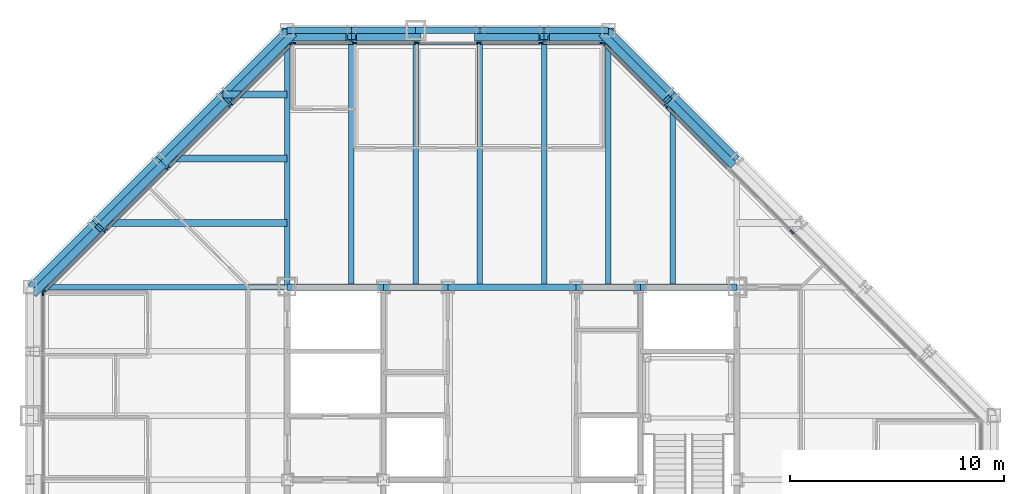
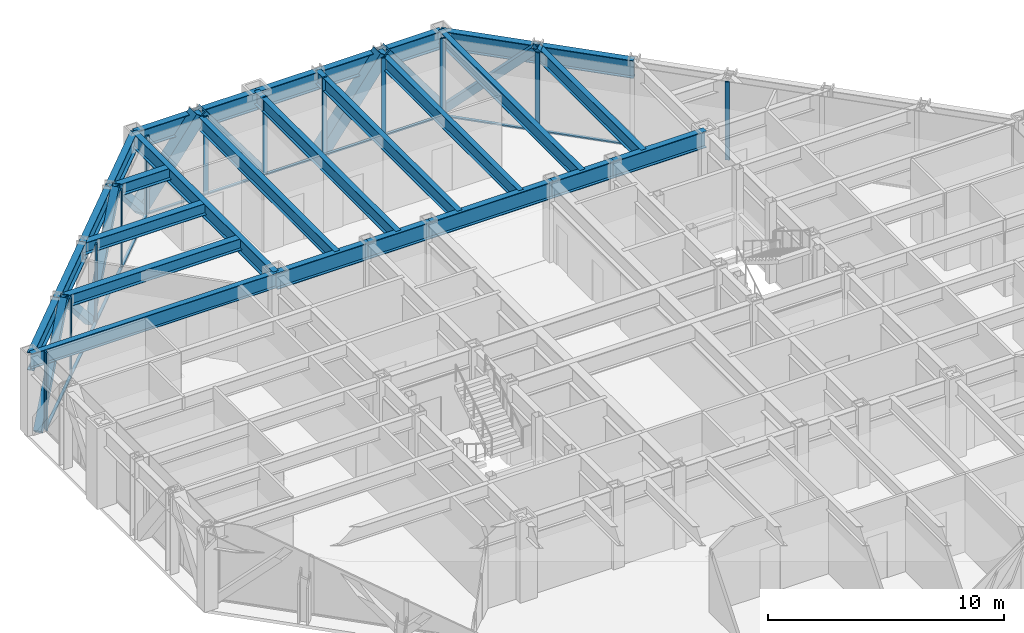
# One storey, part 8 of 16: 36 members, 27 beams, 4 elements without a shape of their own.
"""IFC4 building model written with IfcOpenShell, lengths in metres."""

from ifc_helpers import new_model, si_unit, direction, frame, origin, origin_2d, place, context, subcontext, project, spatial, rectangle, hollow_rectangle, i_section, extrude, material, layer, layer_set, material_profile, profile_set, type_object, element, aggregate, save


model = new_model("IFC4")

# Units and contexts
model_context = context("Model", 3, precision=1e-05, world=origin(), true_north=direction((0.0, 1.0)))
body_context = subcontext(model_context, "Body", "Model", "MODEL_VIEW")
ifc_project = project(units=[si_unit("LENGTHUNIT", "METRE"), si_unit("AREAUNIT", "SQUARE_METRE"), si_unit("VOLUMEUNIT", "CUBIC_METRE"), si_unit("PLANEANGLEUNIT", "RADIAN"), si_unit("MASSUNIT", "GRAM", prefix="KILO")], contexts=[model_context])

# Site, building, storey
site_placement = place(None, origin())
site = spatial("IfcSite", under=ifc_project, at=site_placement, CompositionType="ELEMENT")
building_placement = place(site_placement, origin())
building = spatial("IfcBuilding", under=site, at=building_placement, Name="Chuquiago Exchange Tower", CompositionType="ELEMENT")
storey_placement = place(building_placement, frame((0.0, 0.0, 226.5)))
storey = spatial("IfcBuildingStorey", under=building, at=storey_placement, Name="L50", CompositionType="ELEMENT", Elevation=226.5)

# Beams
ifc_material_1 = material(Name="Steel ASTM A992", Category="steel")
ifc_material_profile_1 = material_profile(ifc_material_1, i_section(OverallWidth=0.25390625, OverallDepth=0.683349609375, WebThickness=0.012451171875, FlangeThickness=0.018798828125, at=origin_2d()), Name="W27X94")
ifc_profile_set_1 = profile_set([ifc_material_profile_1], Name="Steel ASTM A992")
beam_type_1 = type_object("IfcBeamType", Name="B1 W27X94", PredefinedType="BEAM", material=ifc_profile_set_1)
for number, where, z_axis, x_axis, name in (
    (1, (15.0, 33.0, 3.698486328125), (0.0, 1.0, 0.0), (-1.0, 0.0, 0.0), "FB-L51-infill-15_33-15_45-0"),
    (2, (18.0, 33.0, 3.698486328125), (0.0, 1.0, 0.0), (-1.0, 0.0, 0.0), "FB-L51-infill-18_33-18_45-0"),
    (3, (21.0, 33.0, 3.698486328125), (0.0, 1.0, 0.0), (-1.0, 0.0, 0.0), "FB-L51-infill-21_33-21_45-0"),
    (4, (24.0, 33.0, 3.698486328125), (0.0, 1.0, 0.0), (-1.0, 0.0, 0.0), "FB-L51-infill-24_33-24_45-0"),
    (5, (27.0, 33.0, 3.698486328125), (0.0, 1.0, 0.0), (-1.0, 0.0, 0.0), "FB-L51-infill-27_33-27_45-0"),
):
    element("IfcBeam", number, at=place(storey_placement, frame(where, z_axis=z_axis, x_axis=x_axis)), inside=storey, type_object=beam_type_1, Name=name, PredefinedType="BEAM", context=body_context, shape_type="SweptSolid", body=[
        extrude(i_section(OverallWidth=0.25390625, OverallDepth=0.683349609375, WebThickness=0.012451171875, FlangeThickness=0.018798828125, at=origin_2d()), origin(), (0.0, 0.0, 1.0), 12.0),
    ])
beam_1_placement = place(storey_placement, frame((30.0, 33.0, 3.698486328125), z_axis=(0.0, 1.0, 0.0), x_axis=(-1.0, 0.0, 0.0)))
element("IfcBeam", 6, at=beam_1_placement, inside=storey, type_object=beam_type_1, Name="FB-L51-infill-30_33-30_42-0", PredefinedType="BEAM", context=body_context, shape_type="SweptSolid", body=[
    extrude(i_section(OverallWidth=0.25390625, OverallDepth=0.683349609375, WebThickness=0.012451171875, FlangeThickness=0.018798828125, at=origin_2d()), origin(), (0.0, 0.0, 1.0), 9.0),
])
ifc_material_2 = material(Name="Steel ASTM A992", Category="steel")
ifc_material_profile_2 = material_profile(ifc_material_2, i_section(OverallWidth=0.3251953125, OverallDepth=0.612060546875, WebThickness=0.0126953125, FlangeThickness=0.01904296875, at=origin_2d()), Name="W24X104")
ifc_profile_set_2 = profile_set([ifc_material_profile_2], Name="Steel ASTM A992")
beam_type_2 = type_object("IfcBeamType", Name="B2 W24X104", PredefinedType="BEAM", material=ifc_profile_set_2)
beam_2_placement = place(storey_placement, frame((12.0, 36.0, 3.73388671875), z_axis=(-1.0, 0.0, 0.0), x_axis=(0.0, -1.0, 0.0)))
element("IfcBeam", 7, at=beam_2_placement, inside=storey, type_object=beam_type_2, Name="FB-L51-corner-12_36-3_36-0", PredefinedType="BEAM", context=body_context, shape_type="SweptSolid", body=[
    extrude(i_section(OverallWidth=0.3251953125, OverallDepth=0.612060546875, WebThickness=0.0126953125, FlangeThickness=0.01904296875, at=origin_2d()), origin(), (0.0, 0.0, 1.0), 9.0),
])
beam_3_placement = place(storey_placement, frame((12.0, 39.0, 3.73388671875), z_axis=(-1.0, 0.0, 0.0), x_axis=(0.0, -1.0, 0.0)))
element("IfcBeam", 8, at=beam_3_placement, inside=storey, type_object=beam_type_2, Name="FB-L51-corner-12_39-6_39-0", PredefinedType="BEAM", context=body_context, shape_type="SweptSolid", body=[
    extrude(i_section(OverallWidth=0.3251953125, OverallDepth=0.612060546875, WebThickness=0.0126953125, FlangeThickness=0.01904296875, at=origin_2d()), origin(), (0.0, 0.0, 1.0), 6.0),
])
beam_4_placement = place(storey_placement, frame((12.0, 42.0, 3.73388671875), z_axis=(-1.0, 0.0, 0.0), x_axis=(0.0, -1.0, 0.0)))
element("IfcBeam", 9, at=beam_4_placement, inside=storey, type_object=beam_type_2, Name="FB-L51-corner-12_42-9_42-0", PredefinedType="BEAM", context=body_context, shape_type="SweptSolid", body=[
    extrude(i_section(OverallWidth=0.3251953125, OverallDepth=0.612060546875, WebThickness=0.0126953125, FlangeThickness=0.01904296875, at=origin_2d()), origin(), (0.0, 0.0, 1.0), 3.0),
])
ifc_material_3 = material(Name="Steel ASTM A992", Category="steel")
ifc_material_profile_3 = material_profile(ifc_material_3, i_section(OverallWidth=0.2919921875, OverallDepth=0.8583984375, WebThickness=0.01708984375, FlangeThickness=0.031005859375, at=origin_2d()), Name="W33X169")
ifc_profile_set_3 = profile_set([ifc_material_profile_3], Name="Steel ASTM A992")
beam_type_3 = type_object("IfcBeamType", Name="B3 W33X169", PredefinedType="BEAM", material=ifc_profile_set_3)
beam_5_placement = place(storey_placement, frame((12.0, 33.0, 3.610595703125), z_axis=(1.0, 0.0, 0.0), x_axis=(0.0, 1.0, 0.0)))
element("IfcBeam", 10, at=beam_5_placement, inside=storey, type_object=beam_type_3, Name="CB-L51-12_33-16.5_33", PredefinedType="BEAM", context=body_context, shape_type="SweptSolid", body=[
    extrude(i_section(OverallWidth=0.2919921875, OverallDepth=0.8583984375, WebThickness=0.01708984375, FlangeThickness=0.031005859375, at=origin_2d()), origin(), (0.0, 0.0, 1.0), 4.5),
])
beam_6_placement = place(storey_placement, frame((16.5, 33.0, 3.610595703125), z_axis=(1.0, 0.0, 0.0), x_axis=(0.0, 1.0, 0.0)))
element("IfcBeam", 11, at=beam_6_placement, inside=storey, type_object=beam_type_3, Name="CB-L51-16.5_33-19.5_33", PredefinedType="BEAM", context=body_context, shape_type="SweptSolid", body=[
    extrude(i_section(OverallWidth=0.2919921875, OverallDepth=0.8583984375, WebThickness=0.01708984375, FlangeThickness=0.031005859375, at=origin_2d()), origin(), (0.0, 0.0, 1.0), 3.0),
])
beam_7_placement = place(storey_placement, frame((19.5, 33.0, 3.610595703125), z_axis=(1.0, 0.0, 0.0), x_axis=(0.0, 1.0, 0.0)))
element("IfcBeam", 12, at=beam_7_placement, inside=storey, type_object=beam_type_3, Name="CB-L51-19.5_33-25.5_33", PredefinedType="BEAM", context=body_context, shape_type="SweptSolid", body=[
    extrude(i_section(OverallWidth=0.2919921875, OverallDepth=0.8583984375, WebThickness=0.01708984375, FlangeThickness=0.031005859375, at=origin_2d()), origin(), (0.0, 0.0, 1.0), 6.0),
])
beam_8_placement = place(storey_placement, frame((25.5, 33.0, 3.610595703125), z_axis=(1.0, 0.0, 0.0), x_axis=(0.0, 1.0, 0.0)))
element("IfcBeam", 13, at=beam_8_placement, inside=storey, type_object=beam_type_3, Name="CB-L51-25.5_33-28.5_33", PredefinedType="BEAM", context=body_context, shape_type="SweptSolid", body=[
    extrude(i_section(OverallWidth=0.2919921875, OverallDepth=0.8583984375, WebThickness=0.01708984375, FlangeThickness=0.031005859375, at=origin_2d()), origin(), (0.0, 0.0, 1.0), 3.0),
])
beam_9_placement = place(storey_placement, frame((28.5, 33.0, 3.610595703125), z_axis=(1.0, 0.0, 0.0), x_axis=(0.0, 1.0, 0.0)))
element("IfcBeam", 14, at=beam_9_placement, inside=storey, type_object=beam_type_3, Name="CB-L51-28.5_33-33_33", PredefinedType="BEAM", context=body_context, shape_type="SweptSolid", body=[
    extrude(i_section(OverallWidth=0.2919921875, OverallDepth=0.8583984375, WebThickness=0.01708984375, FlangeThickness=0.031005859375, at=origin_2d()), origin(), (0.0, 0.0, 1.0), 4.5),
])

# Curtain wall, members
ifc_material_4 = material(Name="Aluminium curtain wall system", Category="aluminium")
ifc_layer_1 = layer(ifc_material_4, 0.22509765625)
ifc_layer_set_1 = layer_set([ifc_layer_1], Name="CW2 office curtain wall")
curtain_wall_type_1 = type_object("IfcCurtainWallType", Name="CW2 office curtain wall", PredefinedType="NOTDEFINED", material=ifc_layer_set_1)
curtain_wall_1_placement = place(storey_placement, origin())
curtain_wall_1 = element("IfcCurtainWall", 15, at=curtain_wall_1_placement, inside=storey, type_object=curtain_wall_type_1, Name="CW2 curtain wall L50", PredefinedType="NOTDEFINED")
ifc_material_5 = material(Name="Aluminium mullion, pale anodised", Category="aluminium")
ifc_material_profile_4 = material_profile(ifc_material_5, rectangle(XDim=0.06494140625, YDim=0.22509765625, at=origin_2d()), Name="AL 65x225")
ifc_profile_set_4 = profile_set([ifc_material_profile_4], Name="Aluminium mullion, pale anodised")
member_type_1 = type_object("IfcMemberType", Name="CW2-M mullion 65x225", PredefinedType="MULLION", material=ifc_profile_set_4)
member_1_placement = place(storey_placement, frame((26.718994140625, 44.39990234375, 0.0), z_axis=(0.0, 0.0, 1.0), x_axis=(0.0, -1.0, 0.0)))
member_1 = element("IfcMember", 16, at=member_1_placement, type_object=member_type_1, Name="CW2 mullion 1", PredefinedType="MULLION", context=body_context, shape_type="SweptSolid", body=[
    extrude(rectangle(XDim=0.06494140625, YDim=0.22509765625, at=origin_2d()), origin(), (0.0, 0.0, 1.0), 4.0400390625),
])
member_2_placement = place(storey_placement, frame((23.850830078125, 44.39990234375, 0.0), z_axis=(0.0, 0.0, 1.0), x_axis=(0.0, -1.0, 0.0)))
member_2 = element("IfcMember", 17, at=member_2_placement, type_object=member_type_1, Name="CW2 mullion 2", PredefinedType="MULLION", context=body_context, shape_type="SweptSolid", body=[
    extrude(rectangle(XDim=0.06494140625, YDim=0.22509765625, at=origin_2d()), origin(), (0.0, 0.0, 1.0), 4.0400390625),
])
member_3_placement = place(storey_placement, frame((20.9501953125, 44.39990234375, 0.0), z_axis=(0.0, 0.0, 1.0), x_axis=(0.0, -1.0, 0.0)))
member_3 = element("IfcMember", 18, at=member_3_placement, type_object=member_type_1, Name="CW2 mullion 3", PredefinedType="MULLION", context=body_context, shape_type="SweptSolid", body=[
    extrude(rectangle(XDim=0.06494140625, YDim=0.22509765625, at=origin_2d()), origin(), (0.0, 0.0, 1.0), 4.0400390625),
])
member_4_placement = place(storey_placement, frame((18.0498046875, 44.39990234375, 0.0), z_axis=(0.0, 0.0, 1.0), x_axis=(0.0, -1.0, 0.0)))
member_4 = element("IfcMember", 19, at=member_4_placement, type_object=member_type_1, Name="CW2 mullion 4", PredefinedType="MULLION", context=body_context, shape_type="SweptSolid", body=[
    extrude(rectangle(XDim=0.06494140625, YDim=0.22509765625, at=origin_2d()), origin(), (0.0, 0.0, 1.0), 4.0400390625),
])
member_5_placement = place(storey_placement, frame((15.149169921875, 44.39990234375, 0.0), z_axis=(0.0, 0.0, 1.0), x_axis=(0.0, -1.0, 0.0)))
member_5 = element("IfcMember", 20, at=member_5_placement, type_object=member_type_1, Name="CW2 mullion 5", PredefinedType="MULLION", context=body_context, shape_type="SweptSolid", body=[
    extrude(rectangle(XDim=0.06494140625, YDim=0.22509765625, at=origin_2d()), origin(), (0.0, 0.0, 1.0), 4.0400390625),
])
member_6_placement = place(storey_placement, frame((12.281005859375, 44.39990234375, 0.0), z_axis=(0.0, 0.0, 1.0), x_axis=(0.0, -1.0, 0.0)))
member_6 = element("IfcMember", 21, at=member_6_placement, type_object=member_type_1, Name="CW2 mullion 6", PredefinedType="MULLION", context=body_context, shape_type="SweptSolid", body=[
    extrude(rectangle(XDim=0.06494140625, YDim=0.22509765625, at=origin_2d()), origin(), (0.0, 0.0, 1.0), 4.0400390625),
])

# Curtain wall, member
curtain_wall_2_placement = place(storey_placement, origin())
curtain_wall_2 = element("IfcCurtainWall", 22, at=curtain_wall_2_placement, inside=storey, type_object=curtain_wall_type_1, Name="CW2 curtain wall L50", PredefinedType="NOTDEFINED")
member_7_placement = place(storey_placement, frame((0.60009765625, 32.718994140625, 0.0), z_axis=(0.0, 0.0, 1.0), x_axis=(1.0, 0.0, 0.0)))
member_7 = element("IfcMember", 23, at=member_7_placement, type_object=member_type_1, Name="CW2 mullion 1", PredefinedType="MULLION", context=body_context, shape_type="SweptSolid", body=[
    extrude(rectangle(XDim=0.06494140625, YDim=0.22509765625, at=origin_2d()), origin(), (0.0, 0.0, 1.0), 4.0400390625),
])
aggregate(curtain_wall_2, [member_7])

# Member
ifc_material_6 = material(Name="Aluminium transom, pale anodised", Category="aluminium")
ifc_material_profile_5 = material_profile(ifc_material_6, rectangle(XDim=0.139892578125, YDim=0.06494140625, at=origin_2d()), Name="AL 140x65")
ifc_profile_set_5 = profile_set([ifc_material_profile_5], Name="Aluminium transom, pale anodised")
member_type_2 = type_object("IfcMemberType", Name="CW2-T transom 65x140", PredefinedType="MULLION", material=ifc_profile_set_5)
member_8_placement = place(storey_placement, frame((26.6865234375, 44.39990234375, 0.032470703125), z_axis=(-1.0, 0.0, 0.0), x_axis=(0.0, -1.0, 0.0)))
member_8 = element("IfcMember", 24, at=member_8_placement, type_object=member_type_2, Name="CW2 transom 1.1", PredefinedType="MULLION", context=body_context, shape_type="SweptSolid", body=[
    extrude(rectangle(XDim=0.139892578125, YDim=0.06494140625, at=origin_2d()), origin(), (0.0, 0.0, 1.0), 2.80322265625),
])

member_9_placement = place(storey_placement, frame((23.818359375, 44.39990234375, 0.032470703125), z_axis=(-1.0, 0.0, 0.0), x_axis=(0.0, -1.0, 0.0)))
member_9 = element("IfcMember", 25, at=member_9_placement, type_object=member_type_2, Name="CW2 transom 2.1", PredefinedType="MULLION", context=body_context, shape_type="SweptSolid", body=[
    extrude(rectangle(XDim=0.139892578125, YDim=0.06494140625, at=origin_2d()), origin(), (0.0, 0.0, 1.0), 2.83544921875),
])

member_10_placement = place(storey_placement, frame((20.917724609375, 44.39990234375, 0.032470703125), z_axis=(-1.0, 0.0, 0.0), x_axis=(0.0, -1.0, 0.0)))
member_10 = element("IfcMember", 26, at=member_10_placement, type_object=member_type_2, Name="CW2 transom 3.1", PredefinedType="MULLION", context=body_context, shape_type="SweptSolid", body=[
    extrude(rectangle(XDim=0.139892578125, YDim=0.06494140625, at=origin_2d()), origin(), (0.0, 0.0, 1.0), 2.83544921875),
])

member_11_placement = place(storey_placement, frame((18.01708984375, 44.39990234375, 0.032470703125), z_axis=(-1.0, 0.0, 0.0), x_axis=(0.0, -1.0, 0.0)))
member_11 = element("IfcMember", 27, at=member_11_placement, type_object=member_type_2, Name="CW2 transom 4.1", PredefinedType="MULLION", context=body_context, shape_type="SweptSolid", body=[
    extrude(rectangle(XDim=0.139892578125, YDim=0.06494140625, at=origin_2d()), origin(), (0.0, 0.0, 1.0), 2.83544921875),
])

member_12_placement = place(storey_placement, frame((15.11669921875, 44.39990234375, 0.032470703125), z_axis=(-1.0, 0.0, 0.0), x_axis=(0.0, -1.0, 0.0)))
member_12 = element("IfcMember", 28, at=member_12_placement, type_object=member_type_2, Name="CW2 transom 5.1", PredefinedType="MULLION", context=body_context, shape_type="SweptSolid", body=[
    extrude(rectangle(XDim=0.139892578125, YDim=0.06494140625, at=origin_2d()), origin(), (0.0, 0.0, 1.0), 2.80322265625),
])

aggregate(curtain_wall_1, [member_1, member_2, member_3, member_4, member_5, member_6, member_8, member_9, member_10, member_11, member_12])

# Curtain wall, members
ifc_material_7 = material(Name="Aluminium curtain wall system", Category="aluminium")
ifc_layer_2 = layer(ifc_material_7, 0.199951171875)
ifc_layer_set_2 = layer_set([ifc_layer_2], Name="CW3 facet curtain wall")
curtain_wall_type_2 = type_object("IfcCurtainWallType", Name="CW3 facet curtain wall", PredefinedType="NOTDEFINED", material=ifc_layer_set_2)
curtain_wall_3_placement = place(storey_placement, origin())
curtain_wall_3 = element("IfcCurtainWall", 29, at=curtain_wall_3_placement, inside=storey, type_object=curtain_wall_type_2, Name="CW3 curtain wall L50", PredefinedType="NOTDEFINED")
ifc_material_8 = material(Name="Aluminium mullion, pale anodised", Category="aluminium")
ifc_material_profile_6 = material_profile(ifc_material_8, rectangle(XDim=0.06494140625, YDim=0.199951171875, at=origin_2d()), Name="AL 65x200")
ifc_profile_set_6 = profile_set([ifc_material_profile_6], Name="Aluminium mullion, pale anodised")
member_type_3 = type_object("IfcMemberType", Name="CW3-M mullion 65x200", PredefinedType="MULLION", material=ifc_profile_set_6)
member_13_placement = place(storey_placement, frame((35.57568359375, 35.57568359375, 0.0), z_axis=(0.0, 0.0, 1.0), x_axis=(-0.707106781187, -0.707106781187, 0.0)))
member_13 = element("IfcMember", 30, at=member_13_placement, type_object=member_type_3, Name="CW3 mullion 4", PredefinedType="MULLION", context=body_context, shape_type="SweptSolid", body=[
    extrude(rectangle(XDim=0.06494140625, YDim=0.199951171875, at=origin_2d()), origin(), (0.0, 0.0, 1.0), 4.0400390625),
])
member_14_placement = place(storey_placement, frame((29.69287109375, 41.45849609375, 0.0), z_axis=(0.0, 0.0, 1.0), x_axis=(-0.707106781187, -0.707106781187, 0.0)))
member_14 = element("IfcMember", 31, at=member_14_placement, type_object=member_type_3, Name="CW3 mullion 6", PredefinedType="MULLION", context=body_context, shape_type="SweptSolid", body=[
    extrude(rectangle(XDim=0.06494140625, YDim=0.199951171875, at=origin_2d()), origin(), (0.0, 0.0, 1.0), 4.0400390625),
])
member_15_placement = place(storey_placement, frame((26.7744140625, 44.376953125, 0.0), z_axis=(0.0, 0.0, 1.0), x_axis=(-0.707106781187, -0.707106781187, 0.0)))
member_15 = element("IfcMember", 32, at=member_15_placement, type_object=member_type_3, Name="CW3 mullion 7", PredefinedType="MULLION", context=body_context, shape_type="SweptSolid", body=[
    extrude(rectangle(XDim=0.06494140625, YDim=0.199951171875, at=origin_2d()), origin(), (0.0, 0.0, 1.0), 4.0400390625),
])

curtain_wall_4_placement = place(storey_placement, origin())
curtain_wall_4 = element("IfcCurtainWall", 33, at=curtain_wall_4_placement, inside=storey, type_object=curtain_wall_type_2, Name="CW3 curtain wall L50", PredefinedType="NOTDEFINED")
member_16_placement = place(storey_placement, frame((12.2255859375, 44.376953125, 0.0), z_axis=(0.0, 0.0, 1.0), x_axis=(0.707106781187, -0.707106781187, 0.0)))
member_16 = element("IfcMember", 34, at=member_16_placement, type_object=member_type_3, Name="CW3 mullion 1", PredefinedType="MULLION", context=body_context, shape_type="SweptSolid", body=[
    extrude(rectangle(XDim=0.06494140625, YDim=0.199951171875, at=origin_2d()), origin(), (0.0, 0.0, 1.0), 4.0400390625),
])
member_17_placement = place(storey_placement, frame((9.33642578125, 41.48779296875, 0.0), z_axis=(0.0, 0.0, 1.0), x_axis=(0.707106781187, -0.707106781187, 0.0)))
member_17 = element("IfcMember", 35, at=member_17_placement, type_object=member_type_3, Name="CW3 mullion 2", PredefinedType="MULLION", context=body_context, shape_type="SweptSolid", body=[
    extrude(rectangle(XDim=0.06494140625, YDim=0.199951171875, at=origin_2d()), origin(), (0.0, 0.0, 1.0), 4.0400390625),
])
member_18_placement = place(storey_placement, frame((6.42431640625, 38.57568359375, 0.0), z_axis=(0.0, 0.0, 1.0), x_axis=(0.707106781187, -0.707106781187, 0.0)))
member_18 = element("IfcMember", 36, at=member_18_placement, type_object=member_type_3, Name="CW3 mullion 3", PredefinedType="MULLION", context=body_context, shape_type="SweptSolid", body=[
    extrude(rectangle(XDim=0.06494140625, YDim=0.199951171875, at=origin_2d()), origin(), (0.0, 0.0, 1.0), 4.0400390625),
])
member_19_placement = place(storey_placement, frame((3.51220703125, 35.66357421875, 0.0), z_axis=(0.0, 0.0, 1.0), x_axis=(0.707106781187, -0.707106781187, 0.0)))
member_19 = element("IfcMember", 37, at=member_19_placement, type_object=member_type_3, Name="CW3 mullion 4", PredefinedType="MULLION", context=body_context, shape_type="SweptSolid", body=[
    extrude(rectangle(XDim=0.06494140625, YDim=0.199951171875, at=origin_2d()), origin(), (0.0, 0.0, 1.0), 4.0400390625),
])
member_20_placement = place(storey_placement, frame((0.623046875, 32.7744140625, 0.0), z_axis=(0.0, 0.0, 1.0), x_axis=(0.707106781187, -0.707106781187, 0.0)))
member_20 = element("IfcMember", 38, at=member_20_placement, type_object=member_type_3, Name="CW3 mullion 5", PredefinedType="MULLION", context=body_context, shape_type="SweptSolid", body=[
    extrude(rectangle(XDim=0.06494140625, YDim=0.199951171875, at=origin_2d()), origin(), (0.0, 0.0, 1.0), 4.0400390625),
])

# Member
ifc_material_9 = material(Name="Aluminium transom, pale anodised", Category="aluminium")
ifc_material_profile_7 = material_profile(ifc_material_9, rectangle(XDim=0.139892578125, YDim=0.06494140625, at=origin_2d()), Name="AL 140x65")
ifc_profile_set_7 = profile_set([ifc_material_profile_7], Name="Aluminium transom, pale anodised")
member_type_4 = type_object("IfcMemberType", Name="CW3-T transom 65x140", PredefinedType="MULLION", material=ifc_profile_set_7)
member_21_placement = place(storey_placement, frame((32.611328125, 38.5400390625, 0.032470703125), z_axis=(-0.707106781187, 0.707106781187, 0.0), x_axis=(-0.707106781187, -0.707106781187, 0.0)))
member_21 = element("IfcMember", 39, at=member_21_placement, type_object=member_type_4, Name="CW3 transom 5.1", PredefinedType="MULLION", context=body_context, shape_type="SweptSolid", body=[
    extrude(rectangle(XDim=0.139892578125, YDim=0.06494140625, at=origin_2d()), origin(), (0.0, 0.0, 1.0), 4.094970703125),
])

member_22_placement = place(storey_placement, frame((29.669921875, 41.4814453125, 0.032470703125), z_axis=(-0.707106781187, 0.707106781187, 0.0), x_axis=(-0.707106781187, -0.707106781187, 0.0)))
member_22 = element("IfcMember", 40, at=member_22_placement, type_object=member_type_4, Name="CW3 transom 6.1", PredefinedType="MULLION", context=body_context, shape_type="SweptSolid", body=[
    extrude(rectangle(XDim=0.139892578125, YDim=0.06494140625, at=origin_2d()), origin(), (0.0, 0.0, 1.0), 4.0625),
])

aggregate(curtain_wall_3, [member_13, member_14, member_15, member_21, member_22])

member_23_placement = place(storey_placement, frame((12.20263671875, 44.35400390625, 0.032470703125), z_axis=(-0.707106781187, -0.707106781187, 0.0), x_axis=(0.707106781187, -0.707106781187, 0.0)))
member_23 = element("IfcMember", 41, at=member_23_placement, type_object=member_type_4, Name="CW3 transom 1.1", PredefinedType="MULLION", context=body_context, shape_type="SweptSolid", body=[
    extrude(rectangle(XDim=0.139892578125, YDim=0.06494140625, at=origin_2d()), origin(), (0.0, 0.0, 1.0), 4.02099609375),
])

member_24_placement = place(storey_placement, frame((9.3134765625, 41.46484375, 0.032470703125), z_axis=(-0.707106781187, -0.707106781187, 0.0), x_axis=(0.707106781187, -0.707106781187, 0.0)))
member_24 = element("IfcMember", 42, at=member_24_placement, type_object=member_type_4, Name="CW3 transom 2.1", PredefinedType="MULLION", context=body_context, shape_type="SweptSolid", body=[
    extrude(rectangle(XDim=0.139892578125, YDim=0.06494140625, at=origin_2d()), origin(), (0.0, 0.0, 1.0), 4.053466796875),
])

member_25_placement = place(storey_placement, frame((6.4013671875, 38.552734375, 0.032470703125), z_axis=(-0.707106781187, -0.707106781187, 0.0), x_axis=(0.707106781187, -0.707106781187, 0.0)))
member_25 = element("IfcMember", 43, at=member_25_placement, type_object=member_type_4, Name="CW3 transom 3.1", PredefinedType="MULLION", context=body_context, shape_type="SweptSolid", body=[
    extrude(rectangle(XDim=0.139892578125, YDim=0.06494140625, at=origin_2d()), origin(), (0.0, 0.0, 1.0), 4.053466796875),
])

member_26_placement = place(storey_placement, frame((3.4892578125, 35.640625, 0.032470703125), z_axis=(-0.707106781187, -0.707106781187, 0.0), x_axis=(0.707106781187, -0.707106781187, 0.0)))
member_26 = element("IfcMember", 44, at=member_26_placement, type_object=member_type_4, Name="CW3 transom 4.1", PredefinedType="MULLION", context=body_context, shape_type="SweptSolid", body=[
    extrude(rectangle(XDim=0.139892578125, YDim=0.06494140625, at=origin_2d()), origin(), (0.0, 0.0, 1.0), 4.02099609375),
])

aggregate(curtain_wall_4, [member_16, member_17, member_18, member_19, member_20, member_23, member_24, member_25, member_26])

# Beams
ifc_material_10 = material(Name="Steel ASTM A992", Category="steel")
ifc_material_profile_8 = material_profile(ifc_material_10, i_section(OverallWidth=0.2666015625, OverallDepth=0.76953125, WebThickness=0.015625, FlangeThickness=0.025390625, at=origin_2d()), Name="W30X132")
ifc_profile_set_8 = profile_set([ifc_material_profile_8], Name="Steel ASTM A992")
beam_type_4 = type_object("IfcBeamType", Name="G1 W30X132", PredefinedType="BEAM", material=ifc_profile_set_8)
for number, where, z_axis, x_axis, name in (
    (45, (12.0, 33.0, 3.6552734375), (0.0, 1.0, 0.0), (-1.0, 0.0, 0.0), "FB-L51-girder-12_33-12_45-0"),
    (46, (12.0, 33.0, 3.6552734375), (-1.0, 0.0, 0.0), (0.0, -1.0, 0.0), "FB-L51-girder-12_33--0_33-0"),
):
    element("IfcBeam", number, at=place(storey_placement, frame(where, z_axis=z_axis, x_axis=x_axis)), inside=storey, type_object=beam_type_4, Name=name, PredefinedType="BEAM", context=body_context, shape_type="SweptSolid", body=[
        extrude(i_section(OverallWidth=0.2666015625, OverallDepth=0.76953125, WebThickness=0.015625, FlangeThickness=0.025390625, at=origin_2d()), origin(), (0.0, 0.0, 1.0), 12.0),
    ])

# Members
ifc_material_11 = material(Name="Steel ASTM A500 Grade C", Category="steel")
ifc_material_profile_9 = material_profile(ifc_material_11, hollow_rectangle(XDim=0.355712890625, YDim=0.355712890625, WallThickness=0.0146484375, at=origin_2d()), Name="HSS14X14X5/8")
ifc_profile_set_9 = profile_set([ifc_material_profile_9], Name="Steel ASTM A500 Grade C")
member_type_5 = type_object("IfcMemberType", Name="LB2 HSS14X14X5/8", PredefinedType="BRACE", material=ifc_profile_set_9)
for number, where, z_axis, x_axis, name in (
    (47, (32.7685546875, 38.7685546875, 0.0), (-0.512077265487, 0.512077265487, 0.689604051861), (-0.707106781187, -0.707106781187, 0.0), "LB-L50-33_39-30_42"),
    (48, (26.7685546875, 44.7685546875, 0.0), (0.512077265487, -0.512077265487, 0.689604051861), (0.707106781187, 0.707106781187, 0.0), "LB-L50-30_42-27_45"),
    (49, (12.2314453125, 44.7685546875, 0.0), (-0.512077265487, -0.512077265487, 0.689604051861), (0.707106781187, -0.707106781187, 0.0), "LB-L50-12_45-9_42"),
    (50, (6.2314453125, 38.7685546875, 0.0), (0.512077265487, 0.512077265487, 0.689604051861), (-0.707106781187, 0.707106781187, 0.0), "LB-L50-9_42-6_39"),
    (51, (6.2314453125, 38.7685546875, 0.0), (-0.512077265487, -0.512077265487, 0.689604051861), (0.707106781187, -0.707106781187, 0.0), "LB-L50-6_39-3_36"),
    (52, (0.2314453125, 32.7685546875, 0.0), (0.512077265487, 0.512077265487, 0.689604051861), (-0.707106781187, 0.707106781187, 0.0), "LB-L50-3_36-0_33"),
):
    element("IfcMember", number, at=place(storey_placement, frame(where, z_axis=z_axis, x_axis=x_axis)), inside=storey, type_object=member_type_5, Name=name, PredefinedType="BRACE", context=body_context, shape_type="SweptSolid", body=[
        extrude(hollow_rectangle(XDim=0.355712890625, YDim=0.355712890625, WallThickness=0.0146484375, at=origin_2d()), origin(), (0.0, 0.0, 1.0), 5.8583984375),
    ])
ifc_material_12 = material(Name="Steel ASTM A572 Grade 50", Category="steel")
ifc_material_profile_10 = material_profile(ifc_material_12, hollow_rectangle(XDim=0.60009765625, YDim=0.60009765625, WallThickness=0.06005859375, at=origin_2d()), Name="BOX600X600X60")
ifc_profile_set_10 = profile_set([ifc_material_profile_10], Name="Steel ASTM A572 Grade 50")
member_type_6 = type_object("IfcMemberType", Name="MB3 BOX600X600X60", PredefinedType="BRACE", material=ifc_profile_set_10)
for number, where, z_axis, x_axis, name in (
    (53, (27.0, 44.794921875, 0.0), (-0.596173923302, 0.0, 0.802855312728), (0.0, -1.0, 0.0), "Mega diagonal L50 N face"),
    (54, (21.0, 44.794921875, 0.0), (0.596173923302, 0.0, 0.802855312728), (0.0, 1.0, 0.0), "Mega diagonal L50 N face"),
    (55, (18.0, 44.794921875, 0.0), (-0.596173923302, 0.0, 0.802855312728), (0.0, -1.0, 0.0), "Mega diagonal L50 N face"),
    (56, (12.0, 44.794921875, 0.0), (0.596173923302, 0.0, 0.802855312728), (0.0, 1.0, 0.0), "Mega diagonal L50 N face"),
):
    element("IfcMember", number, at=place(storey_placement, frame(where, z_axis=z_axis, x_axis=x_axis)), inside=storey, type_object=member_type_6, Name=name, PredefinedType="BRACE", context=body_context, shape_type="SweptSolid", body=[
        extrude(hollow_rectangle(XDim=0.60009765625, YDim=0.60009765625, WallThickness=0.06005859375, at=origin_2d()), origin(), (0.0, 0.0, 1.0), 5.031982421875),
    ])

# Beams
ifc_material_13 = material(Name="Steel ASTM A992", Category="steel")
ifc_material_profile_11 = material_profile(ifc_material_13, i_section(OverallWidth=0.307373046875, OverallDepth=0.927001953125, WebThickness=0.01953125, FlangeThickness=0.031982421875, at=origin_2d()), Name="W36X194")
ifc_profile_set_11 = profile_set([ifc_material_profile_11], Name="Steel ASTM A992")
beam_type_5 = type_object("IfcBeamType", Name="SP3 W36X194", PredefinedType="SPANDREL", material=ifc_profile_set_11)
for number, where, z_axis, x_axis, name in (
    (57, (33.0, 39.0, 3.576416015625), (-0.707106781187, 0.707106781187, 0.0), (-0.707106781187, -0.707106781187, 0.0), "SPB-L51-33_39-30_42"),
    (58, (30.0, 42.0, 3.576416015625), (-0.707106781187, 0.707106781187, 0.0), (-0.707106781187, -0.707106781187, 0.0), "SPB-L51-30_42-27_45"),
):
    element("IfcBeam", number, at=place(storey_placement, frame(where, z_axis=z_axis, x_axis=x_axis)), inside=storey, type_object=beam_type_5, Name=name, PredefinedType="SPANDREL", context=body_context, shape_type="SweptSolid", body=[
        extrude(i_section(OverallWidth=0.307373046875, OverallDepth=0.927001953125, WebThickness=0.01953125, FlangeThickness=0.031982421875, at=origin_2d()), origin(), (0.0, 0.0, 1.0), 4.24267578125),
    ])
for number, where, z_axis, x_axis, name in (
    (59, (27.0, 45.0, 3.576416015625), (-1.0, 0.0, 0.0), (0.0, -1.0, 0.0), "SPB-L51-27_45-24_45"),
    (60, (24.0, 45.0, 3.576416015625), (-1.0, 0.0, 0.0), (0.0, -1.0, 0.0), "SPB-L51-24_45-21_45"),
    (61, (21.0, 45.0, 3.576416015625), (-1.0, 0.0, 0.0), (0.0, -1.0, 0.0), "SPB-L51-21_45-18_45"),
    (62, (18.0, 45.0, 3.576416015625), (-1.0, 0.0, 0.0), (0.0, -1.0, 0.0), "SPB-L51-18_45-15_45"),
    (63, (15.0, 45.0, 3.576416015625), (-1.0, 0.0, 0.0), (0.0, -1.0, 0.0), "SPB-L51-15_45-12_45"),
):
    element("IfcBeam", number, at=place(storey_placement, frame(where, z_axis=z_axis, x_axis=x_axis)), inside=storey, type_object=beam_type_5, Name=name, PredefinedType="SPANDREL", context=body_context, shape_type="SweptSolid", body=[
        extrude(i_section(OverallWidth=0.307373046875, OverallDepth=0.927001953125, WebThickness=0.01953125, FlangeThickness=0.031982421875, at=origin_2d()), origin(), (0.0, 0.0, 1.0), 3.0),
    ])
for number, where, z_axis, x_axis, name in (
    (64, (12.0, 45.0, 3.576416015625), (-0.707106781187, -0.707106781187, 0.0), (0.707106781187, -0.707106781187, 0.0), "SPB-L51-12_45-9_42"),
    (65, (9.0, 42.0, 3.576416015625), (-0.707106781187, -0.707106781187, 0.0), (0.707106781187, -0.707106781187, 0.0), "SPB-L51-9_42-6_39"),
    (66, (6.0, 39.0, 3.576416015625), (-0.707106781187, -0.707106781187, 0.0), (0.707106781187, -0.707106781187, 0.0), "SPB-L51-6_39-3_36"),
    (67, (3.0, 36.0, 3.576416015625), (-0.707106781187, -0.707106781187, 0.0), (0.707106781187, -0.707106781187, 0.0), "SPB-L51-3_36-0_33"),
):
    element("IfcBeam", number, at=place(storey_placement, frame(where, z_axis=z_axis, x_axis=x_axis)), inside=storey, type_object=beam_type_5, Name=name, PredefinedType="SPANDREL", context=body_context, shape_type="SweptSolid", body=[
        extrude(i_section(OverallWidth=0.307373046875, OverallDepth=0.927001953125, WebThickness=0.01953125, FlangeThickness=0.031982421875, at=origin_2d()), origin(), (0.0, 0.0, 1.0), 4.24267578125),
    ])

save(model, "model.ifc")
